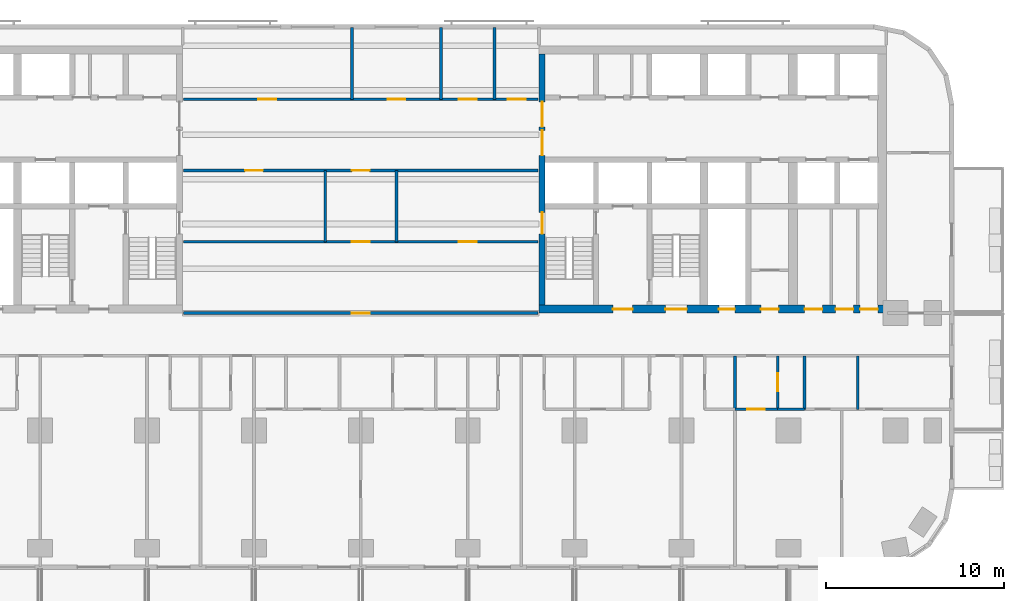
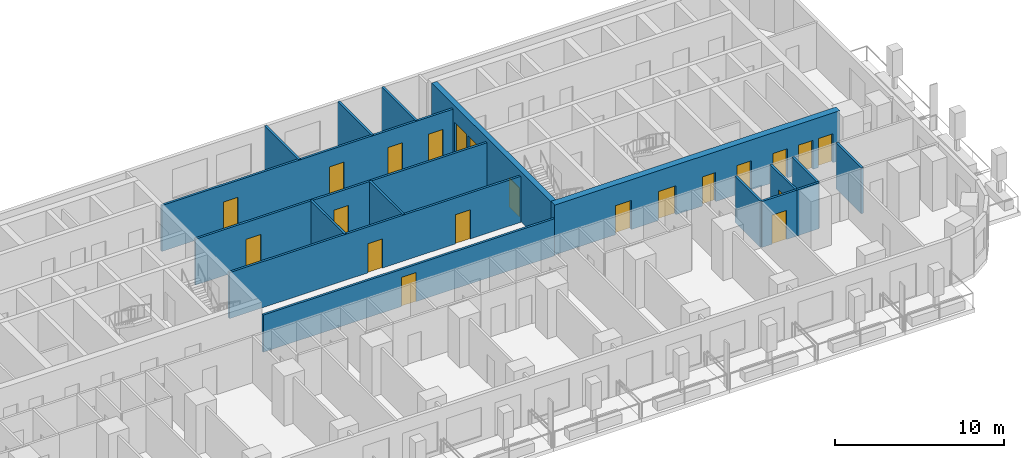
# One storey, part 7 of 15: 21 doors, 17 walls, 21 openings.
"""IFC4 building model written with IfcOpenShell, lengths in metres."""

from ifc_helpers import new_model, si_unit, direction, frame, frame_2d, origin, place, context, subcontext, project, spatial, rectangle, extrude, material, layer, layer_set, type_object, element, fill, save


model = new_model("IFC4")

# Units and contexts
model_context = context("Model", 3, precision=1e-05, world=origin(), true_north=direction((0.0, 1.0)))
body_context = subcontext(model_context, "Body", "Model", "MODEL_VIEW")
ifc_project = project(units=[si_unit("LENGTHUNIT", "METRE"), si_unit("AREAUNIT", "SQUARE_METRE"), si_unit("VOLUMEUNIT", "CUBIC_METRE"), si_unit("PLANEANGLEUNIT", "RADIAN"), si_unit("MASSUNIT", "GRAM", prefix="KILO")], contexts=[model_context])

# Site, building, storey
site_placement = place(None, origin())
site = spatial("IfcSite", under=ifc_project, at=site_placement, CompositionType="ELEMENT")
building_placement = place(site_placement, origin())
building = spatial("IfcBuilding", under=site, at=building_placement, Name="Torana Hotel and Residences", CompositionType="ELEMENT")
storey_placement = place(building_placement, frame((0.0, 0.0, 45.60009765625)))
storey = spatial("IfcBuildingStorey", under=building, at=storey_placement, Name="L10", CompositionType="ELEMENT", Elevation=45.60009765625)

# Wall, openings, doors
ifc_material_1 = material(Name="Concrete C80/95", Category="concrete")
ifc_layer_1 = layer(ifc_material_1, 0.35009765625)
ifc_layer_set_1 = layer_set([ifc_layer_1], Name="CORE WALL 350 C80/95")
wall_type_1 = type_object("IfcWallType", Name="CORE WALL 350 C80/95", PredefinedType="SHEAR", material=ifc_layer_set_1)
wall_1_placement = place(storey_placement, frame((10.175048828125, -14.550048828125, 0.0), z_axis=(0.0, 0.0, 1.0), x_axis=(0.0, 1.0, 0.0)))
wall_1 = element("IfcWall", 1, at=wall_1_placement, inside=storey, type_object=wall_type_1, Name="Core wall E arch", PredefinedType="SHEAR", context=body_context, shape_type="SweptSolid", body=[
    extrude(rectangle(XDim=14.10009765625, YDim=0.35009765625, at=frame_2d((7.050048828125, 0.0))), origin(), (0.0, 0.0, 1.0), 3.599853515625),
])
opening_1_placement = place(wall_1_placement, frame((8.39990234375, 0.0, 0.0)))
opening_1 = element("IfcOpeningElement", 2, at=opening_1_placement, cuts=wall_1, Name="Opening L10-19", PredefinedType="OPENING", context=body_context, shape_type="SweptSolid", body=[
    extrude(rectangle(XDim=1.39990234375, YDim=2.39990234375, at=frame_2d((0.699951171875, 1.199951171875))), frame((0.0, 0.18505859375, 0.0), z_axis=(0.0, -1.0, 0.0), x_axis=(1.0, 0.0, 0.0)), (0.0, 0.0, 1.0), 0.3701171875),
])
opening_2_placement = place(wall_1_placement, frame((10.0, 0.0, 0.0)))
opening_2 = element("IfcOpeningElement", 3, at=opening_2_placement, cuts=wall_1, Name="Opening L10-20", PredefinedType="OPENING", context=body_context, shape_type="SweptSolid", body=[
    extrude(rectangle(XDim=1.39990234375, YDim=2.39990234375, at=frame_2d((0.699951171875, 1.199951171875))), frame((0.0, 0.18505859375, 0.0), z_axis=(0.0, -1.0, 0.0), x_axis=(1.0, 0.0, 0.0)), (0.0, 0.0, 1.0), 0.3701171875),
])
opening_3_placement = place(wall_1_placement, frame((4.0, 0.0, 0.0)))
opening_3 = element("IfcOpeningElement", 4, at=opening_3_placement, cuts=wall_1, Name="Opening L10-21", PredefinedType="OPENING", context=body_context, shape_type="SweptSolid", body=[
    extrude(rectangle(XDim=1.199951171875, YDim=2.10009765625, at=frame_2d((0.60009765625, 1.050048828125))), frame((0.0, 0.18505859375, 0.0), z_axis=(0.0, -1.0, 0.0), x_axis=(1.0, 0.0, 0.0)), (0.0, 0.0, 1.0), 0.3701171875),
])
ifc_material_2 = material(Name="Steel S235", Category="steel")
door_type_1 = type_object("IfcDoorType", Name="LOBBY FIRE DOOR D4 1400x2400", OperationType="DOUBLE_DOOR_SINGLE_SWING", PredefinedType="DOOR", material=ifc_material_2)
door_1_placement = place(opening_1_placement, origin())
door_1 = element("IfcDoor", 5, at=door_1_placement, inside=storey, type_object=door_type_1, Name="Lobby-1 door L10", OperationType="DOUBLE_DOOR_SINGLE_SWING", OverallHeight=2.39990234375, OverallWidth=1.39990234375, PredefinedType="DOOR", context=body_context, shape_type="SweptSolid", body=[
    extrude(rectangle(XDim=1.39990234375, YDim=2.39990234375, at=frame_2d((0.699951171875, 1.199951171875))), frame((0.0, 0.02490234375, 0.0), z_axis=(0.0, -1.0, 0.0), x_axis=(1.0, 0.0, 0.0)), (0.0, 0.0, 1.0), 0.050048828125),
])
fill(opening_1, door_1)
door_2_placement = place(opening_2_placement, origin())
door_2 = element("IfcDoor", 6, at=door_2_placement, inside=storey, type_object=door_type_1, Name="Lobby-2 door L10", OperationType="DOUBLE_DOOR_SINGLE_SWING", OverallHeight=2.39990234375, OverallWidth=1.39990234375, PredefinedType="DOOR", context=body_context, shape_type="SweptSolid", body=[
    extrude(rectangle(XDim=1.39990234375, YDim=2.39990234375, at=frame_2d((0.699951171875, 1.199951171875))), frame((0.0, 0.02490234375, 0.0), z_axis=(0.0, -1.0, 0.0), x_axis=(1.0, 0.0, 0.0)), (0.0, 0.0, 1.0), 0.050048828125),
])
fill(opening_2, door_2)
ifc_material_3 = material(Name="Steel S235", Category="steel")
door_type_2 = type_object("IfcDoorType", Name="STAIR FIRE DOOR D3 1200x2100", OperationType="SINGLE_SWING_LEFT", PredefinedType="DOOR", material=ifc_material_3)
door_3_placement = place(opening_3_placement, frame((0.60009765625, 0.0, 0.0), z_axis=(0.0, 0.0, 1.0), x_axis=(-1.0, 0.0, 0.0)))
door_3 = element("IfcDoor", 7, at=door_3_placement, inside=storey, type_object=door_type_2, Name="Stair-A door L10", OperationType="SINGLE_SWING_RIGHT", OverallHeight=2.10009765625, OverallWidth=1.199951171875, PredefinedType="DOOR", context=body_context, shape_type="SweptSolid", body=[
    extrude(rectangle(XDim=1.199951171875, YDim=2.10009765625, at=frame_2d((0.0, 1.050048828125))), frame((0.0, -0.02490234375, 0.0), z_axis=(0.0, 1.0, 0.0), x_axis=(-1.0, 0.0, 0.0)), (0.0, 0.0, 1.0), 0.050048828125),
])
fill(opening_3, door_3)

ifc_material_4 = material(Name="Concrete C80/95", Category="concrete")
ifc_layer_2 = layer(ifc_material_4, 0.449951171875)
ifc_layer_set_2 = layer_set([ifc_layer_2], Name="CORE WALL 450 C80/95")
wall_type_2 = type_object("IfcWallType", Name="CORE WALL 450 C80/95", PredefinedType="SHEAR", material=ifc_layer_set_2)
wall_2_placement = place(storey_placement, frame((10.0, -14.77490234375, 0.0), z_axis=(0.0, 0.0, 1.0), x_axis=(1.0, 0.0, 0.0)))
wall_2 = element("IfcWall", 8, at=wall_2_placement, inside=storey, type_object=wall_type_2, Name="Core wall E front", PredefinedType="SHEAR", context=body_context, shape_type="SweptSolid", body=[
    extrude(rectangle(XDim=19.5, YDim=0.449951171875, at=frame_2d((9.75, 0.0))), origin(), (0.0, 0.0, 1.0), 3.599853515625),
])
opening_4_placement = place(wall_2_placement, frame((7.10009765625, 0.0, 0.0)))
opening_4 = element("IfcOpeningElement", 9, at=opening_4_placement, cuts=wall_2, Name="Opening L10-22", PredefinedType="OPENING", context=body_context, shape_type="SweptSolid", body=[
    extrude(rectangle(XDim=1.199951171875, YDim=2.10009765625, at=frame_2d((0.60009765625, 1.050048828125))), frame((0.0, 0.23486328125, 0.0), z_axis=(0.0, -1.0, 0.0), x_axis=(1.0, 0.0, 0.0)), (0.0, 0.0, 1.0), 0.469970703125),
])
opening_5_placement = place(wall_2_placement, frame((4.14990234375, 0.0, 0.0)))
opening_5 = element("IfcOpeningElement", 10, at=opening_5_placement, cuts=wall_2, Name="Opening L10-23", PredefinedType="OPENING", context=body_context, shape_type="SweptSolid", body=[
    extrude(rectangle(XDim=1.10009765625, YDim=2.10009765625, at=frame_2d((0.550048828125, 1.050048828125))), frame((0.0, 0.23486328125, 0.0), z_axis=(0.0, -1.0, 0.0), x_axis=(1.0, 0.0, 0.0)), (0.0, 0.0, 1.0), 0.469970703125),
])
opening_6_placement = place(wall_2_placement, frame((10.10009765625, 0.0, 0.0)))
opening_6 = element("IfcOpeningElement", 11, at=opening_6_placement, cuts=wall_2, Name="Opening L10-24", PredefinedType="OPENING", context=body_context, shape_type="SweptSolid", body=[
    extrude(rectangle(XDim=0.89990234375, YDim=2.10009765625, at=frame_2d((0.449951171875, 1.050048828125))), frame((0.0, 0.23486328125, 0.0), z_axis=(0.0, -1.0, 0.0), x_axis=(1.0, 0.0, 0.0)), (0.0, 0.0, 1.0), 0.469970703125),
])
opening_7_placement = place(wall_2_placement, frame((12.449951171875, 0.0, 0.0)))
opening_7 = element("IfcOpeningElement", 12, at=opening_7_placement, cuts=wall_2, Name="Opening L10-25", PredefinedType="OPENING", context=body_context, shape_type="SweptSolid", body=[
    extrude(rectangle(XDim=1.0, YDim=2.10009765625, at=frame_2d((0.5, 1.050048828125))), frame((0.0, 0.23486328125, 0.0), z_axis=(0.0, -1.0, 0.0), x_axis=(1.0, 0.0, 0.0)), (0.0, 0.0, 1.0), 0.469970703125),
])
opening_8_placement = place(wall_2_placement, frame((14.91259765625, 0.0, 0.0)))
opening_8 = element("IfcOpeningElement", 13, at=opening_8_placement, cuts=wall_2, Name="Opening L10-26", PredefinedType="OPENING", context=body_context, shape_type="SweptSolid", body=[
    extrude(rectangle(XDim=1.0, YDim=2.10009765625, at=frame_2d((0.5, 1.050048828125))), frame((0.0, 0.23486328125, 0.0), z_axis=(0.0, -1.0, 0.0), x_axis=(1.0, 0.0, 0.0)), (0.0, 0.0, 1.0), 0.469970703125),
])
opening_9_placement = place(wall_2_placement, frame((16.64990234375, 0.0, 0.0)))
opening_9 = element("IfcOpeningElement", 14, at=opening_9_placement, cuts=wall_2, Name="Opening L10-27", PredefinedType="OPENING", context=body_context, shape_type="SweptSolid", body=[
    extrude(rectangle(XDim=1.0, YDim=2.10009765625, at=frame_2d((0.5, 1.050048828125))), frame((0.0, 0.23486328125, 0.0), z_axis=(0.0, -1.0, 0.0), x_axis=(1.0, 0.0, 0.0)), (0.0, 0.0, 1.0), 0.469970703125),
])
opening_10_placement = place(wall_2_placement, frame((18.02490234375, 0.0, 0.0)))
opening_10 = element("IfcOpeningElement", 15, at=opening_10_placement, cuts=wall_2, Name="Opening L10-28", PredefinedType="OPENING", context=body_context, shape_type="SweptSolid", body=[
    extrude(rectangle(XDim=1.0, YDim=2.10009765625, at=frame_2d((0.5, 1.050048828125))), frame((0.0, 0.23486328125, 0.0), z_axis=(0.0, -1.0, 0.0), x_axis=(1.0, 0.0, 0.0)), (0.0, 0.0, 1.0), 0.469970703125),
])
ifc_material_5 = material(Name="Steel S235", Category="steel")
door_type_3 = type_object("IfcDoorType", Name="CORE ROOM FIRE DOOR D14 1000x2100", OperationType="SINGLE_SWING_LEFT", PredefinedType="DOOR", material=ifc_material_5)
door_4_placement = place(opening_7_placement, origin())
door_4 = element("IfcDoor", 16, at=door_4_placement, inside=storey, type_object=door_type_3, Name="M-Room-B door L10", OperationType="SINGLE_SWING_RIGHT", OverallHeight=2.10009765625, OverallWidth=1.0, PredefinedType="DOOR", context=body_context, shape_type="SweptSolid", body=[
    extrude(rectangle(XDim=1.0, YDim=2.10009765625, at=frame_2d((0.5, 1.050048828125))), frame((0.0, 0.02490234375, 0.0), z_axis=(0.0, -1.0, 0.0), x_axis=(1.0, 0.0, 0.0)), (0.0, 0.0, 1.0), 0.050048828125),
])
fill(opening_7, door_4)
door_5_placement = place(opening_8_placement, origin())
door_5 = element("IfcDoor", 17, at=door_5_placement, inside=storey, type_object=door_type_3, Name="L-A door L10", OperationType="SINGLE_SWING_RIGHT", OverallHeight=2.10009765625, OverallWidth=1.0, PredefinedType="DOOR", context=body_context, shape_type="SweptSolid", body=[
    extrude(rectangle(XDim=1.0, YDim=2.10009765625, at=frame_2d((0.5, 1.050048828125))), frame((0.0, 0.02490234375, 0.0), z_axis=(0.0, -1.0, 0.0), x_axis=(1.0, 0.0, 0.0)), (0.0, 0.0, 1.0), 0.050048828125),
])
fill(opening_8, door_5)
door_6_placement = place(opening_9_placement, origin())
door_6 = element("IfcDoor", 18, at=door_6_placement, inside=storey, type_object=door_type_3, Name="L-B door L10", OperationType="SINGLE_SWING_RIGHT", OverallHeight=2.10009765625, OverallWidth=1.0, PredefinedType="DOOR", context=body_context, shape_type="SweptSolid", body=[
    extrude(rectangle(XDim=1.0, YDim=2.10009765625, at=frame_2d((0.5, 1.050048828125))), frame((0.0, 0.02490234375, 0.0), z_axis=(0.0, -1.0, 0.0), x_axis=(1.0, 0.0, 0.0)), (0.0, 0.0, 1.0), 0.050048828125),
])
fill(opening_9, door_6)
door_7_placement = place(opening_10_placement, origin())
door_7 = element("IfcDoor", 19, at=door_7_placement, inside=storey, type_object=door_type_3, Name="L-C door L10", OperationType="SINGLE_SWING_RIGHT", OverallHeight=2.10009765625, OverallWidth=1.0, PredefinedType="DOOR", context=body_context, shape_type="SweptSolid", body=[
    extrude(rectangle(XDim=1.0, YDim=2.10009765625, at=frame_2d((0.5, 1.050048828125))), frame((0.0, 0.02490234375, 0.0), z_axis=(0.0, -1.0, 0.0), x_axis=(1.0, 0.0, 0.0)), (0.0, 0.0, 1.0), 0.050048828125),
])
fill(opening_10, door_7)
ifc_material_6 = material(Name="Steel S235", Category="steel")
door_type_4 = type_object("IfcDoorType", Name="FIRE-FIGHTING LOBBY DOOR D8 1100x2100", OperationType="SINGLE_SWING_LEFT", PredefinedType="DOOR", material=ifc_material_6)
door_8_placement = place(opening_5_placement, origin())
door_8 = element("IfcDoor", 20, at=door_8_placement, inside=storey, type_object=door_type_4, Name="FF-lobby door L10", OperationType="SINGLE_SWING_RIGHT", OverallHeight=2.10009765625, OverallWidth=1.10009765625, PredefinedType="DOOR", context=body_context, shape_type="SweptSolid", body=[
    extrude(rectangle(XDim=1.10009765625, YDim=2.10009765625, at=frame_2d((0.550048828125, 1.050048828125))), frame((0.0, 0.02490234375, 0.0), z_axis=(0.0, -1.0, 0.0), x_axis=(1.0, 0.0, 0.0)), (0.0, 0.0, 1.0), 0.050048828125),
])
fill(opening_5, door_8)
ifc_material_7 = material(Name="Steel S235", Category="steel")
door_type_5 = type_object("IfcDoorType", Name="RISER ACCESS DOOR D5 900x2100", OperationType="SINGLE_SWING_LEFT", PredefinedType="DOOR", material=ifc_material_7)
door_9_placement = place(opening_6_placement, origin())
door_9 = element("IfcDoor", 21, at=door_9_placement, inside=storey, type_object=door_type_5, Name="M-Riser door L10", OperationType="SINGLE_SWING_RIGHT", OverallHeight=2.10009765625, OverallWidth=0.89990234375, PredefinedType="DOOR", context=body_context, shape_type="SweptSolid", body=[
    extrude(rectangle(XDim=0.89990234375, YDim=2.10009765625, at=frame_2d((0.449951171875, 1.050048828125))), frame((0.0, 0.02490234375, 0.0), z_axis=(0.0, -1.0, 0.0), x_axis=(1.0, 0.0, 0.0)), (0.0, 0.0, 1.0), 0.050048828125),
])
fill(opening_6, door_9)
door_10_placement = place(opening_4_placement, origin())
door_10 = element("IfcDoor", 22, at=door_10_placement, inside=storey, type_object=door_type_2, Name="Stair-B door L10", OperationType="SINGLE_SWING_RIGHT", OverallHeight=2.10009765625, OverallWidth=1.199951171875, PredefinedType="DOOR", context=body_context, shape_type="SweptSolid", body=[
    extrude(rectangle(XDim=1.199951171875, YDim=2.10009765625, at=frame_2d((0.60009765625, 1.050048828125))), frame((0.0, 0.02490234375, 0.0), z_axis=(0.0, -1.0, 0.0), x_axis=(1.0, 0.0, 0.0)), (0.0, 0.0, 1.0), 0.050048828125),
])
fill(opening_4, door_10)

# Wall, opening, door
ifc_material_8 = material(Name="Gypsum plaster")
ifc_layer_3 = layer(ifc_material_8, 0.014892578125, Name="Plaster", Category="finish")
ifc_material_9 = material(Name="Concrete blockwork", Category="masonry")
ifc_layer_4 = layer(ifc_material_9, 0.1201171875, Name="Blockwork", Category="structure")
ifc_layer_5 = layer(ifc_material_8, 0.014892578125, Name="Plaster", Category="finish")
ifc_layer_set_3 = layer_set([ifc_layer_3, ifc_layer_4, ifc_layer_5], Name="FIRE PARTITION 150 BLOCKWORK")
wall_type_3 = type_object("IfcWallType", Name="FIRE PARTITION 150 BLOCKWORK", PredefinedType="PARTITIONING", material=ifc_layer_set_3)
wall_3_placement = place(storey_placement, frame((23.39990234375, -20.39990234375, 0.0), z_axis=(0.0, 0.0, 1.0), x_axis=(0.0, 1.0, 0.0)))
wall_3 = element("IfcWall", 23, at=wall_3_placement, inside=storey, type_object=wall_type_3, Name="Partition L10", PredefinedType="PARTITIONING", context=body_context, shape_type="SweptSolid", body=[
    extrude(rectangle(XDim=3.0, YDim=0.14990234375, at=frame_2d((1.5, 0.0))), origin(), (0.0, 0.0, 1.0), 3.31982421875),
])
opening_11_placement = place(wall_3_placement, frame((1.02001953125, 0.0, 0.0)))
opening_11 = element("IfcOpeningElement", 24, at=opening_11_placement, cuts=wall_3, Name="Opening L10-82", PredefinedType="OPENING", context=body_context, shape_type="SweptSolid", body=[
    extrude(rectangle(XDim=1.0, YDim=2.10009765625, at=frame_2d((0.5, 1.050048828125))), frame((0.0, 0.0849609375, 0.0), z_axis=(0.0, -1.0, 0.0), x_axis=(1.0, 0.0, 0.0)), (0.0, 0.0, 1.0), 0.169921875),
])
ifc_material_10 = material(Name="Steel S235", Category="steel")
door_type_6 = type_object("IfcDoorType", Name="ENTRY FIRE DOOR D6 1000x2100", OperationType="SINGLE_SWING_LEFT", PredefinedType="DOOR", material=ifc_material_10)
door_11_placement = place(opening_11_placement, frame((0.5, 0.0, 0.0), z_axis=(0.0, 0.0, 1.0), x_axis=(-1.0, 0.0, 0.0)))
door_11 = element("IfcDoor", 25, at=door_11_placement, inside=storey, type_object=door_type_6, Name="Door L10", OperationType="SINGLE_SWING_LEFT", OverallHeight=2.10009765625, OverallWidth=1.0, PredefinedType="DOOR", context=body_context, shape_type="SweptSolid", body=[
    extrude(rectangle(XDim=1.0, YDim=2.10009765625, at=frame_2d((0.0, 1.050048828125))), frame((0.0, -0.02490234375, 0.0), z_axis=(0.0, 1.0, 0.0), x_axis=(-1.0, 0.0, 0.0)), (0.0, 0.0, 1.0), 0.050048828125),
])
fill(opening_11, door_11)

# Walls
wall_4_placement = place(storey_placement, frame((21.0, -20.39990234375, 0.0), z_axis=(0.0, 0.0, 1.0), x_axis=(0.0, 1.0, 0.0)))
element("IfcWall", 26, at=wall_4_placement, inside=storey, type_object=wall_type_3, Name="Partition L10", PredefinedType="PARTITIONING", context=body_context, shape_type="SweptSolid", body=[
    extrude(rectangle(XDim=3.0, YDim=0.14990234375, at=frame_2d((1.5, 0.0))), origin(), (0.0, 0.0, 1.0), 3.31982421875),
])
for number, where, z_axis, x_axis, name in (
    (27, (2.0, -11.0, 0.0), (0.0, 0.0, 1.0), (0.0, 1.0, 0.0), "Partition L10"),
    (28, (-2.0, -11.0, 0.0), (0.0, 0.0, 1.0), (0.0, 1.0, 0.0), "Partition L10"),
):
    element("IfcWall", number, at=place(storey_placement, frame(where, z_axis=z_axis, x_axis=x_axis)), inside=storey, type_object=wall_type_3, Name=name, PredefinedType="PARTITIONING", context=body_context, shape_type="SweptSolid", body=[
        extrude(rectangle(XDim=4.0, YDim=0.14990234375, at=frame_2d((2.0, 0.0))), origin(), (0.0, 0.0, 1.0), 3.31982421875),
    ])

# Wall, opening, door
wall_5_placement = place(storey_placement, frame((21.0, -20.39990234375, 0.0), z_axis=(0.0, 0.0, 1.0), x_axis=(1.0, 0.0, 0.0)))
wall_5 = element("IfcWall", 29, at=wall_5_placement, inside=storey, type_object=wall_type_3, Name="Partition L10", PredefinedType="PARTITIONING", context=body_context, shape_type="SweptSolid", body=[
    extrude(rectangle(XDim=2.39990234375, YDim=0.14990234375, at=frame_2d((1.199951171875, 0.0))), origin(), (0.0, 0.0, 1.0), 3.31982421875),
])
opening_12_placement = place(wall_5_placement, frame((0.679931640625, 0.0, 0.0)))
opening_12 = element("IfcOpeningElement", 30, at=opening_12_placement, cuts=wall_5, Name="Opening L10-83", PredefinedType="OPENING", context=body_context, shape_type="SweptSolid", body=[
    extrude(rectangle(XDim=1.0, YDim=2.10009765625, at=frame_2d((0.5, 1.050048828125))), frame((0.0, 0.0849609375, 0.0), z_axis=(0.0, -1.0, 0.0), x_axis=(1.0, 0.0, 0.0)), (0.0, 0.0, 1.0), 0.169921875),
])
door_12_placement = place(opening_12_placement, frame((0.5, 0.0, 0.0), z_axis=(0.0, 0.0, 1.0), x_axis=(-1.0, 0.0, 0.0)))
door_12 = element("IfcDoor", 31, at=door_12_placement, inside=storey, type_object=door_type_6, Name="Door L10", OperationType="SINGLE_SWING_LEFT", OverallHeight=2.10009765625, OverallWidth=1.0, PredefinedType="DOOR", context=body_context, shape_type="SweptSolid", body=[
    extrude(rectangle(XDim=1.0, YDim=2.10009765625, at=frame_2d((0.0, 1.050048828125))), frame((0.0, -0.02490234375, 0.0), z_axis=(0.0, 1.0, 0.0), x_axis=(-1.0, 0.0, 0.0)), (0.0, 0.0, 1.0), 0.050048828125),
])
fill(opening_12, door_12)

wall_6_placement = place(storey_placement, frame((-9.949951171875, -15.0, 0.0), z_axis=(0.0, 0.0, 1.0), x_axis=(1.0, 0.0, 0.0)))
wall_6 = element("IfcWall", 32, at=wall_6_placement, inside=storey, type_object=wall_type_3, Name="Partition L10", PredefinedType="PARTITIONING", context=body_context, shape_type="SweptSolid", body=[
    extrude(rectangle(XDim=19.89990234375, YDim=0.14990234375, at=frame_2d((9.949951171875, 0.0))), origin(), (0.0, 0.0, 1.0), 2.683837890625),
])
opening_13_placement = place(wall_6_placement, frame((9.449951171875, 0.0, 0.0)))
opening_13 = element("IfcOpeningElement", 33, at=opening_13_placement, cuts=wall_6, Name="Opening L10-39", PredefinedType="OPENING", context=body_context, shape_type="SweptSolid", body=[
    extrude(rectangle(XDim=1.0, YDim=2.10009765625, at=frame_2d((0.5, 1.050048828125))), frame((0.0, 0.0849609375, 0.0), z_axis=(0.0, -1.0, 0.0), x_axis=(1.0, 0.0, 0.0)), (0.0, 0.0, 1.0), 0.169921875),
])
door_13_placement = place(opening_13_placement, origin())
door_13 = element("IfcDoor", 34, at=door_13_placement, inside=storey, type_object=door_type_6, Name="Door L10", OperationType="SINGLE_SWING_RIGHT", OverallHeight=2.10009765625, OverallWidth=1.0, PredefinedType="DOOR", context=body_context, shape_type="SweptSolid", body=[
    extrude(rectangle(XDim=1.0, YDim=2.10009765625, at=frame_2d((0.5, 1.050048828125))), frame((0.0, 0.02490234375, 0.0), z_axis=(0.0, -1.0, 0.0), x_axis=(1.0, 0.0, 0.0)), (0.0, 0.0, 1.0), 0.050048828125),
])
fill(opening_13, door_13)

# Wall, openings, doors
wall_7_placement = place(storey_placement, frame((-9.949951171875, -11.0, 0.0), z_axis=(0.0, 0.0, 1.0), x_axis=(1.0, 0.0, 0.0)))
wall_7 = element("IfcWall", 35, at=wall_7_placement, inside=storey, type_object=wall_type_3, Name="Partition L10", PredefinedType="PARTITIONING", context=body_context, shape_type="SweptSolid", body=[
    extrude(rectangle(XDim=19.89990234375, YDim=0.14990234375, at=frame_2d((9.949951171875, 0.0))), origin(), (0.0, 0.0, 1.0), 3.31982421875),
])
opening_14_placement = place(wall_7_placement, frame((9.449951171875, 0.0, 0.0)))
opening_14 = element("IfcOpeningElement", 36, at=opening_14_placement, cuts=wall_7, Name="Opening L10-54", PredefinedType="OPENING", context=body_context, shape_type="SweptSolid", body=[
    extrude(rectangle(XDim=1.0, YDim=2.10009765625, at=frame_2d((0.5, 1.050048828125))), frame((0.0, 0.0849609375, 0.0), z_axis=(0.0, -1.0, 0.0), x_axis=(1.0, 0.0, 0.0)), (0.0, 0.0, 1.0), 0.169921875),
])
opening_15_placement = place(wall_7_placement, frame((15.449951171875, 0.0, 0.0)))
opening_15 = element("IfcOpeningElement", 37, at=opening_15_placement, cuts=wall_7, Name="Opening L10-55", PredefinedType="OPENING", context=body_context, shape_type="SweptSolid", body=[
    extrude(rectangle(XDim=1.0, YDim=2.10009765625, at=frame_2d((0.5, 1.050048828125))), frame((0.0, 0.0849609375, 0.0), z_axis=(0.0, -1.0, 0.0), x_axis=(1.0, 0.0, 0.0)), (0.0, 0.0, 1.0), 0.169921875),
])
door_14_placement = place(opening_14_placement, origin())
door_14 = element("IfcDoor", 38, at=door_14_placement, inside=storey, type_object=door_type_6, Name="Door L10", OperationType="SINGLE_SWING_RIGHT", OverallHeight=2.10009765625, OverallWidth=1.0, PredefinedType="DOOR", context=body_context, shape_type="SweptSolid", body=[
    extrude(rectangle(XDim=1.0, YDim=2.10009765625, at=frame_2d((0.5, 1.050048828125))), frame((0.0, 0.02490234375, 0.0), z_axis=(0.0, -1.0, 0.0), x_axis=(1.0, 0.0, 0.0)), (0.0, 0.0, 1.0), 0.050048828125),
])
fill(opening_14, door_14)
door_15_placement = place(opening_15_placement, origin())
door_15 = element("IfcDoor", 39, at=door_15_placement, inside=storey, type_object=door_type_6, Name="Door L10", OperationType="SINGLE_SWING_RIGHT", OverallHeight=2.10009765625, OverallWidth=1.0, PredefinedType="DOOR", context=body_context, shape_type="SweptSolid", body=[
    extrude(rectangle(XDim=1.0, YDim=2.10009765625, at=frame_2d((0.5, 1.050048828125))), frame((0.0, 0.02490234375, 0.0), z_axis=(0.0, -1.0, 0.0), x_axis=(1.0, 0.0, 0.0)), (0.0, 0.0, 1.0), 0.050048828125),
])
fill(opening_15, door_15)

wall_8_placement = place(storey_placement, frame((-9.949951171875, -7.0, 0.0), z_axis=(0.0, 0.0, 1.0), x_axis=(1.0, 0.0, 0.0)))
wall_8 = element("IfcWall", 40, at=wall_8_placement, inside=storey, type_object=wall_type_3, Name="Partition L10", PredefinedType="PARTITIONING", context=body_context, shape_type="SweptSolid", body=[
    extrude(rectangle(XDim=19.89990234375, YDim=0.14990234375, at=frame_2d((9.949951171875, 0.0))), origin(), (0.0, 0.0, 1.0), 3.31982421875),
])
opening_16_placement = place(wall_8_placement, frame((9.449951171875, 0.0, 0.0)))
opening_16 = element("IfcOpeningElement", 41, at=opening_16_placement, cuts=wall_8, Name="Opening L10-56", PredefinedType="OPENING", context=body_context, shape_type="SweptSolid", body=[
    extrude(rectangle(XDim=1.0, YDim=2.10009765625, at=frame_2d((0.5, 1.050048828125))), frame((0.0, 0.0849609375, 0.0), z_axis=(0.0, -1.0, 0.0), x_axis=(1.0, 0.0, 0.0)), (0.0, 0.0, 1.0), 0.169921875),
])
opening_17_placement = place(wall_8_placement, frame((3.449951171875, 0.0, 0.0)))
opening_17 = element("IfcOpeningElement", 42, at=opening_17_placement, cuts=wall_8, Name="Opening L10-57", PredefinedType="OPENING", context=body_context, shape_type="SweptSolid", body=[
    extrude(rectangle(XDim=1.0, YDim=2.10009765625, at=frame_2d((0.5, 1.050048828125))), frame((0.0, 0.0849609375, 0.0), z_axis=(0.0, -1.0, 0.0), x_axis=(1.0, 0.0, 0.0)), (0.0, 0.0, 1.0), 0.169921875),
])
door_16_placement = place(opening_16_placement, origin())
door_16 = element("IfcDoor", 43, at=door_16_placement, inside=storey, type_object=door_type_6, Name="Door L10", OperationType="SINGLE_SWING_RIGHT", OverallHeight=2.10009765625, OverallWidth=1.0, PredefinedType="DOOR", context=body_context, shape_type="SweptSolid", body=[
    extrude(rectangle(XDim=1.0, YDim=2.10009765625, at=frame_2d((0.5, 1.050048828125))), frame((0.0, 0.02490234375, 0.0), z_axis=(0.0, -1.0, 0.0), x_axis=(1.0, 0.0, 0.0)), (0.0, 0.0, 1.0), 0.050048828125),
])
fill(opening_16, door_16)
door_17_placement = place(opening_17_placement, frame((0.5, 0.0, 0.0), z_axis=(0.0, 0.0, 1.0), x_axis=(-1.0, 0.0, 0.0)))
door_17 = element("IfcDoor", 44, at=door_17_placement, inside=storey, type_object=door_type_6, Name="Door L10", OperationType="SINGLE_SWING_LEFT", OverallHeight=2.10009765625, OverallWidth=1.0, PredefinedType="DOOR", context=body_context, shape_type="SweptSolid", body=[
    extrude(rectangle(XDim=1.0, YDim=2.10009765625, at=frame_2d((0.0, 1.050048828125))), frame((0.0, -0.02490234375, 0.0), z_axis=(0.0, 1.0, 0.0), x_axis=(-1.0, 0.0, 0.0)), (0.0, 0.0, 1.0), 0.050048828125),
])
fill(opening_17, door_17)

wall_9_placement = place(storey_placement, frame((-9.949951171875, -3.0, 0.0), z_axis=(0.0, 0.0, 1.0), x_axis=(1.0, 0.0, 0.0)))
wall_9 = element("IfcWall", 45, at=wall_9_placement, inside=storey, type_object=wall_type_3, Name="Partition L10", PredefinedType="PARTITIONING", context=body_context, shape_type="SweptSolid", body=[
    extrude(rectangle(XDim=19.89990234375, YDim=0.14990234375, at=frame_2d((9.949951171875, 0.0))), origin(), (0.0, 0.0, 1.0), 3.31982421875),
])
opening_18_placement = place(wall_9_placement, frame((4.199951171875, 0.0, 0.0)))
opening_18 = element("IfcOpeningElement", 46, at=opening_18_placement, cuts=wall_9, Name="Opening L10-58", PredefinedType="OPENING", context=body_context, shape_type="SweptSolid", body=[
    extrude(rectangle(XDim=1.0, YDim=2.10009765625, at=frame_2d((0.5, 1.050048828125))), frame((0.0, 0.0849609375, 0.0), z_axis=(0.0, -1.0, 0.0), x_axis=(1.0, 0.0, 0.0)), (0.0, 0.0, 1.0), 0.169921875),
])
opening_19_placement = place(wall_9_placement, frame((11.449951171875, 0.0, 0.0)))
opening_19 = element("IfcOpeningElement", 47, at=opening_19_placement, cuts=wall_9, Name="Opening L10-59", PredefinedType="OPENING", context=body_context, shape_type="SweptSolid", body=[
    extrude(rectangle(XDim=1.0, YDim=2.10009765625, at=frame_2d((0.5, 1.050048828125))), frame((0.0, 0.0849609375, 0.0), z_axis=(0.0, -1.0, 0.0), x_axis=(1.0, 0.0, 0.0)), (0.0, 0.0, 1.0), 0.169921875),
])
opening_20_placement = place(wall_9_placement, frame((15.449951171875, 0.0, 0.0)))
opening_20 = element("IfcOpeningElement", 48, at=opening_20_placement, cuts=wall_9, Name="Opening L10-60", PredefinedType="OPENING", context=body_context, shape_type="SweptSolid", body=[
    extrude(rectangle(XDim=1.0, YDim=2.10009765625, at=frame_2d((0.5, 1.050048828125))), frame((0.0, 0.0849609375, 0.0), z_axis=(0.0, -1.0, 0.0), x_axis=(1.0, 0.0, 0.0)), (0.0, 0.0, 1.0), 0.169921875),
])
opening_21_placement = place(wall_9_placement, frame((18.199951171875, 0.0, 0.0)))
opening_21 = element("IfcOpeningElement", 49, at=opening_21_placement, cuts=wall_9, Name="Opening L10-61", PredefinedType="OPENING", context=body_context, shape_type="SweptSolid", body=[
    extrude(rectangle(XDim=1.0, YDim=2.10009765625, at=frame_2d((0.5, 1.050048828125))), frame((0.0, 0.0849609375, 0.0), z_axis=(0.0, -1.0, 0.0), x_axis=(1.0, 0.0, 0.0)), (0.0, 0.0, 1.0), 0.169921875),
])
door_18_placement = place(opening_18_placement, origin())
door_18 = element("IfcDoor", 50, at=door_18_placement, inside=storey, type_object=door_type_6, Name="Door L10", OperationType="SINGLE_SWING_RIGHT", OverallHeight=2.10009765625, OverallWidth=1.0, PredefinedType="DOOR", context=body_context, shape_type="SweptSolid", body=[
    extrude(rectangle(XDim=1.0, YDim=2.10009765625, at=frame_2d((0.5, 1.050048828125))), frame((0.0, 0.02490234375, 0.0), z_axis=(0.0, -1.0, 0.0), x_axis=(1.0, 0.0, 0.0)), (0.0, 0.0, 1.0), 0.050048828125),
])
fill(opening_18, door_18)
door_19_placement = place(opening_19_placement, origin())
door_19 = element("IfcDoor", 51, at=door_19_placement, inside=storey, type_object=door_type_6, Name="Door L10", OperationType="SINGLE_SWING_RIGHT", OverallHeight=2.10009765625, OverallWidth=1.0, PredefinedType="DOOR", context=body_context, shape_type="SweptSolid", body=[
    extrude(rectangle(XDim=1.0, YDim=2.10009765625, at=frame_2d((0.5, 1.050048828125))), frame((0.0, 0.02490234375, 0.0), z_axis=(0.0, -1.0, 0.0), x_axis=(1.0, 0.0, 0.0)), (0.0, 0.0, 1.0), 0.050048828125),
])
fill(opening_19, door_19)
door_20_placement = place(opening_20_placement, origin())
door_20 = element("IfcDoor", 52, at=door_20_placement, inside=storey, type_object=door_type_6, Name="Door L10", OperationType="SINGLE_SWING_RIGHT", OverallHeight=2.10009765625, OverallWidth=1.0, PredefinedType="DOOR", context=body_context, shape_type="SweptSolid", body=[
    extrude(rectangle(XDim=1.0, YDim=2.10009765625, at=frame_2d((0.5, 1.050048828125))), frame((0.0, 0.02490234375, 0.0), z_axis=(0.0, -1.0, 0.0), x_axis=(1.0, 0.0, 0.0)), (0.0, 0.0, 1.0), 0.050048828125),
])
fill(opening_20, door_20)
door_21_placement = place(opening_21_placement, origin())
door_21 = element("IfcDoor", 53, at=door_21_placement, inside=storey, type_object=door_type_6, Name="Door L10", OperationType="SINGLE_SWING_RIGHT", OverallHeight=2.10009765625, OverallWidth=1.0, PredefinedType="DOOR", context=body_context, shape_type="SweptSolid", body=[
    extrude(rectangle(XDim=1.0, YDim=2.10009765625, at=frame_2d((0.5, 1.050048828125))), frame((0.0, 0.02490234375, 0.0), z_axis=(0.0, -1.0, 0.0), x_axis=(1.0, 0.0, 0.0)), (0.0, 0.0, 1.0), 0.050048828125),
])
fill(opening_21, door_21)

# Walls
ifc_material_11 = material(Name="Gypsum plasterboard")
ifc_layer_6 = layer(ifc_material_11, 0.012451171875, Name="Plasterboard", Category="finish")
ifc_layer_7 = layer(ifc_material_11, 0.012451171875, Name="Plasterboard", Category="finish")
ifc_material_12 = material(Name="Steel S280GD", Category="steel")
ifc_layer_8 = layer(ifc_material_12, 0.10009765625, Name="Steel studs with mineral wool", Category="insulation")
ifc_layer_9 = layer(ifc_material_11, 0.012451171875, Name="Plasterboard", Category="finish")
ifc_layer_10 = layer(ifc_material_11, 0.012451171875, Name="Plasterboard", Category="finish")
ifc_layer_set_4 = layer_set([ifc_layer_6, ifc_layer_7, ifc_layer_8, ifc_layer_9, ifc_layer_10], Name="PARTITION 150 PLASTERBOARD")
wall_type_4 = type_object("IfcWallType", Name="PARTITION 150 PLASTERBOARD", PredefinedType="PARTITIONING", material=ifc_layer_set_4)
wall_10_placement = place(storey_placement, frame((27.89990234375, -20.39990234375, 0.0), z_axis=(0.0, 0.0, 1.0), x_axis=(0.0, 1.0, 0.0)))
element("IfcWall", 54, at=wall_10_placement, inside=storey, type_object=wall_type_4, Name="Partition L10", PredefinedType="PARTITIONING", context=body_context, shape_type="SweptSolid", body=[
    extrude(rectangle(XDim=3.0, YDim=0.14990234375, at=frame_2d((1.5, 0.0))), origin(), (0.0, 0.0, 1.0), 3.31982421875),
])
wall_11_placement = place(storey_placement, frame((-0.5, -3.0, 0.0), z_axis=(0.0, 0.0, 1.0), x_axis=(0.0, 1.0, 0.0)))
element("IfcWall", 55, at=wall_11_placement, inside=storey, type_object=wall_type_4, Name="Partition L10", PredefinedType="PARTITIONING", context=body_context, shape_type="SweptSolid", body=[
    extrude(rectangle(XDim=4.02001953125, YDim=0.14990234375, at=frame_2d((2.010009765625, 0.0))), origin(), (0.0, 0.0, 1.0), 3.31982421875),
])
ifc_material_13 = material(Name="Ceramic tile on adhesive")
ifc_layer_11 = layer(ifc_material_13, 0.010009765625, Name="Wall tile", Category="finish")
ifc_material_14 = material(Name="Cement render")
ifc_layer_12 = layer(ifc_material_14, 0.010009765625, Name="Render", Category="finish")
ifc_layer_13 = layer(ifc_material_9, 0.110107421875, Name="Blockwork", Category="structure")
ifc_layer_14 = layer(ifc_material_14, 0.010009765625, Name="Render", Category="finish")
ifc_layer_15 = layer(ifc_material_13, 0.010009765625, Name="Wall tile", Category="finish")
ifc_layer_set_5 = layer_set([ifc_layer_11, ifc_layer_12, ifc_layer_13, ifc_layer_14, ifc_layer_15], Name="WC PARTITION 150")
wall_type_5 = type_object("IfcWallType", Name="WC PARTITION 150", PredefinedType="PLUMBINGWALL", material=ifc_layer_set_5)
wall_12_placement = place(storey_placement, frame((24.89990234375, -20.39990234375, 0.0), z_axis=(0.0, 0.0, 1.0), x_axis=(0.0, 1.0, 0.0)))
element("IfcWall", 56, at=wall_12_placement, inside=storey, type_object=wall_type_5, Name="Partition L10", PredefinedType="PLUMBINGWALL", context=body_context, shape_type="SweptSolid", body=[
    extrude(rectangle(XDim=3.0, YDim=0.14990234375, at=frame_2d((1.5, 0.0))), origin(), (0.0, 0.0, 1.0), 3.31982421875),
])
for number, where, z_axis, x_axis, name in (
    (57, (7.5, -3.0, 0.0), (0.0, 0.0, 1.0), (0.0, 1.0, 0.0), "Partition L10"),
    (58, (4.5, -3.0, 0.0), (0.0, 0.0, 1.0), (0.0, 1.0, 0.0), "Partition L10"),
):
    element("IfcWall", number, at=place(storey_placement, frame(where, z_axis=z_axis, x_axis=x_axis)), inside=storey, type_object=wall_type_5, Name=name, PredefinedType="PLUMBINGWALL", context=body_context, shape_type="SweptSolid", body=[
        extrude(rectangle(XDim=4.02001953125, YDim=0.14990234375, at=frame_2d((2.010009765625, 0.0))), origin(), (0.0, 0.0, 1.0), 3.31982421875),
    ])
wall_13_placement = place(storey_placement, frame((23.39990234375, -20.39990234375, 0.0), z_axis=(0.0, 0.0, 1.0), x_axis=(1.0, 0.0, 0.0)))
element("IfcWall", 59, at=wall_13_placement, inside=storey, type_object=wall_type_5, Name="Partition L10", PredefinedType="PLUMBINGWALL", context=body_context, shape_type="SweptSolid", body=[
    extrude(rectangle(XDim=1.5, YDim=0.14990234375, at=frame_2d((0.75, 0.0))), origin(), (0.0, 0.0, 1.0), 3.31982421875),
])

save(model, "model.ifc")
